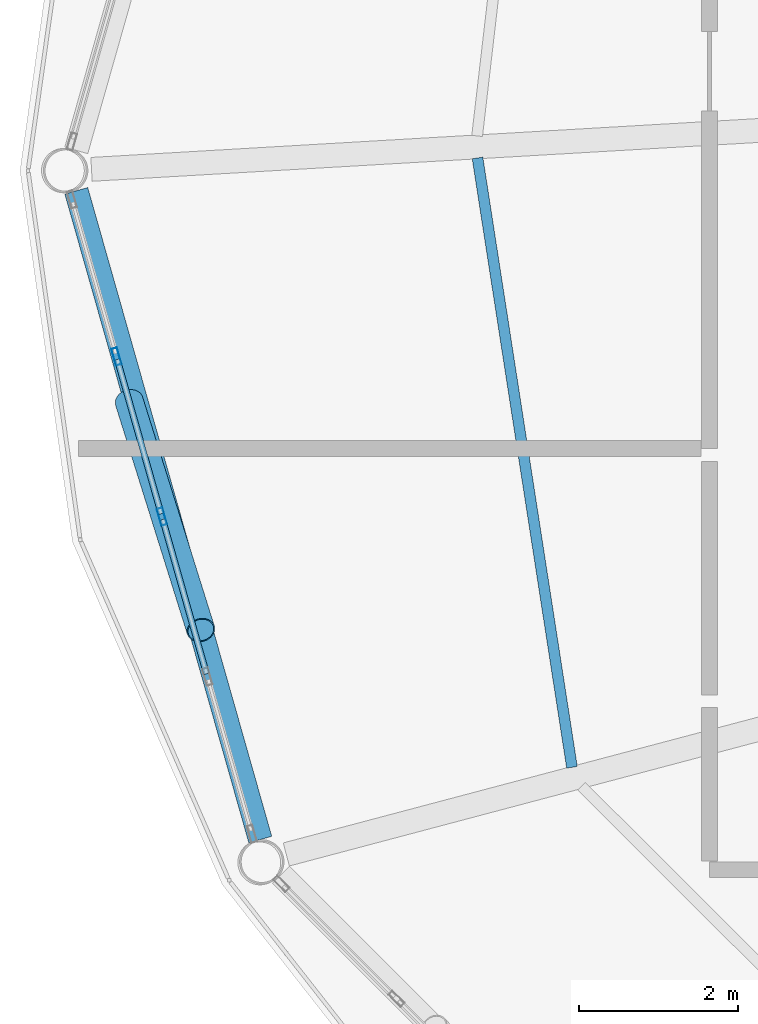
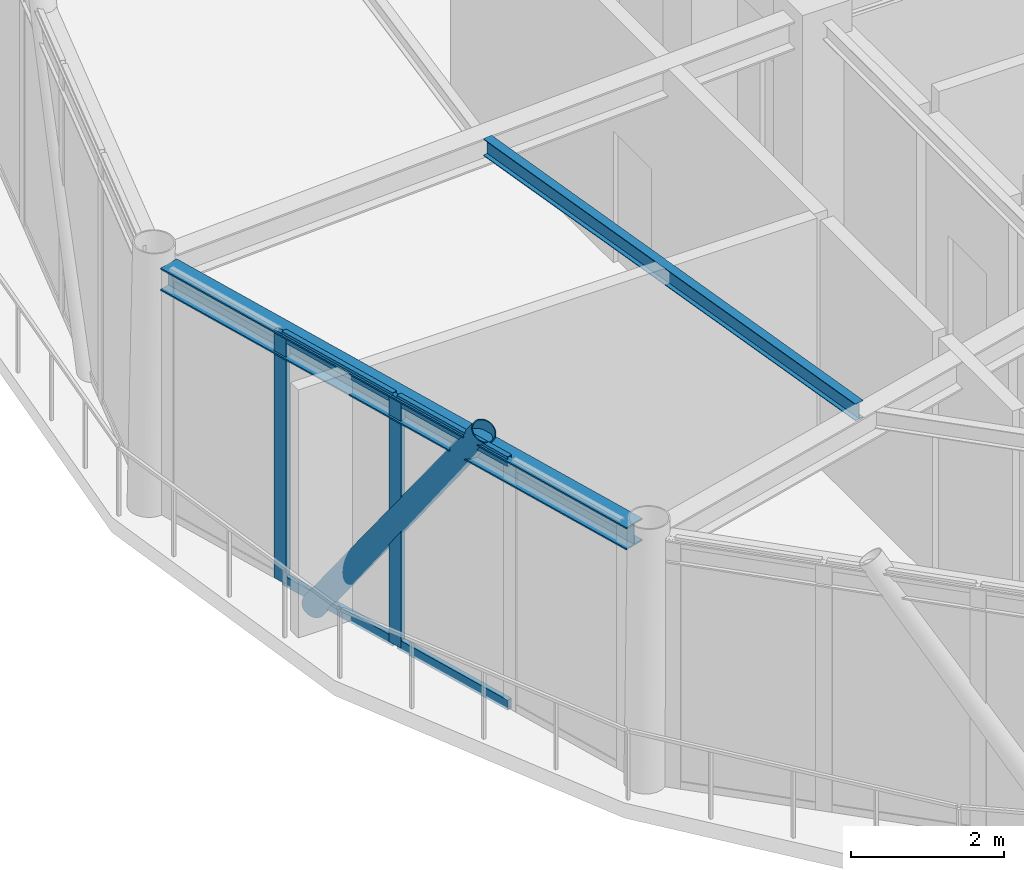
# One storey, part 4 of 21: 7 members, 2 beams, 1 element without a shape of its own.
"""IFC4 building model written with IfcOpenShell, lengths in metres."""

from ifc_helpers import new_model, si_unit, direction, frame, origin, origin_2d, place, context, subcontext, project, spatial, hollow_rectangle, hollow_circle, i_section, extrude, material, layer, layer_set, material_profile, profile_set, type_object, element, aggregate, save


model = new_model("IFC4")

# Units and contexts
model_context = context("Model", 3, precision=1e-05, world=origin(), true_north=direction((0.0, 1.0)))
body_context = subcontext(model_context, "Body", "Model", "MODEL_VIEW")
ifc_project = project(units=[si_unit("LENGTHUNIT", "METRE"), si_unit("AREAUNIT", "SQUARE_METRE"), si_unit("VOLUMEUNIT", "CUBIC_METRE"), si_unit("PLANEANGLEUNIT", "RADIAN"), si_unit("MASSUNIT", "GRAM", prefix="KILO")], contexts=[model_context])

# Site, building, storey
site_placement = place(None, origin())
site = spatial("IfcSite", under=ifc_project, at=site_placement, CompositionType="ELEMENT")
building_placement = place(site_placement, origin())
building = spatial("IfcBuilding", under=site, at=building_placement, Name="Varnakorn Sky Granary", CompositionType="ELEMENT")
storey_placement = place(building_placement, frame((0.0, 0.0, 298.199951171875)))
storey = spatial("IfcBuildingStorey", under=building, at=storey_placement, Name="L76", CompositionType="ELEMENT", Elevation=298.199951171875)

# Beams
ifc_material_1 = material(Name="Steel S355JR", Category="steel")
ifc_material_profile_1 = material_profile(ifc_material_1, i_section(OverallWidth=0.135009765625, OverallDepth=0.27001953125, WebThickness=0.006591796875, FlangeThickness=0.01025390625, at=origin_2d()), Name="IPE 270")
ifc_profile_set_1 = profile_set([ifc_material_profile_1], Name="Steel S355JR")
beam_type_1 = type_object("IfcBeamType", Name="BM-SEC-Z5", PredefinedType="BEAM", material=ifc_profile_set_1)
beam_1_placement = place(storey_placement, frame((-7.520263671875, 0.158935546875, 3.824951171875), z_axis=(0.153186927358, -0.988197229953, 0.0), x_axis=(0.988197229953, 0.153186927358, 0.0)))
element("IfcBeam", 1, at=beam_1_placement, inside=storey, type_object=beam_type_1, Name="Secondary Floor Chord Beam MSB07 L76", PredefinedType="BEAM", context=body_context, shape_type="SweptSolid", body=[
    extrude(i_section(OverallWidth=0.135009765625, OverallDepth=0.27001953125, WebThickness=0.006591796875, FlangeThickness=0.01025390625, at=origin_2d()), origin(), (0.0, 0.0, 1.0), 7.761474609375),
])
ifc_material_profile_2 = material_profile(ifc_material_1, i_section(OverallWidth=0.300048828125, OverallDepth=0.360107421875, WebThickness=0.012451171875, FlangeThickness=0.0224609375, at=origin_2d()), Name="HE 360 B")
ifc_profile_set_2 = profile_set([ifc_material_profile_2], Name="Steel S355JR")
beam_type_2 = type_object("IfcBeamType", Name="BM-SPD-Z5", PredefinedType="SPANDREL", material=ifc_profile_set_2)
beam_2_placement = place(storey_placement, frame((-12.57080078125, -0.25439453125, 3.780029296875), z_axis=(0.272855488152, -0.962055030955, 0.0), x_axis=(0.962055030955, 0.272855488152, 0.0)))
element("IfcBeam", 2, at=beam_2_placement, inside=storey, type_object=beam_type_2, Name="Perimeter Spandrel Ring Beam RB07 L76", PredefinedType="SPANDREL", context=body_context, shape_type="SweptSolid", body=[
    extrude(i_section(OverallWidth=0.300048828125, OverallDepth=0.360107421875, WebThickness=0.012451171875, FlangeThickness=0.0224609375, at=origin_2d()), origin(), (0.0, 0.0, 1.0), 8.488525390625),
])

# Curtain wall, members
ifc_material_2 = material(Name="Anodised Bronze Aluminium Alloy 6063-T6", Category="aluminium")
ifc_layer = layer(ifc_material_2, 0.22998046875, Name="Anodised Bronze Aluminium Alloy 6063-T6")
ifc_layer_set = layer_set([ifc_layer], Name="Anodised Bronze Aluminium Alloy 6063-T6")
curtain_wall_type = type_object("IfcCurtainWallType", Name="CW-LNT-1", PredefinedType="USERDEFINED", material=ifc_layer_set)
curtain_wall_placement = place(storey_placement, origin())
curtain_wall = element("IfcCurtainWall", 3, at=curtain_wall_placement, inside=storey, type_object=curtain_wall_type, Name="Unitised Curtain Wall CW7 CW-L76-B07", ObjectType="CURTAIN WALL", PredefinedType="USERDEFINED")
ifc_material_profile_3 = material_profile(ifc_material_2, hollow_rectangle(XDim=0.074951171875, YDim=0.219970703125, WallThickness=0.00390625, at=origin_2d()), Name="ALU MULL 75x220")
ifc_profile_set_3 = profile_set([ifc_material_profile_3], Name="Anodised Bronze Aluminium Alloy 6063-T6")
member_type_1 = type_object("IfcMemberType", Name="CW-LNT-1-MULL", PredefinedType="MULLION", material=ifc_profile_set_3)
member_1_placement = place(storey_placement, frame((-11.492919921875, -4.35546875, 0.0), z_axis=(0.0, 0.0, 1.0), x_axis=(-0.962012139811, -0.273006671816, 0.0)))
member_1 = element("IfcMember", 4, at=member_1_placement, type_object=member_type_1, Name="CW7 mullion 3", PredefinedType="MULLION", context=body_context, shape_type="SweptSolid", body=[
    extrude(hollow_rectangle(XDim=0.074951171875, YDim=0.219970703125, WallThickness=0.00390625, at=origin_2d()), origin(), (0.0, 0.0, 1.0), 3.9599609375),
])
member_2_placement = place(storey_placement, frame((-12.064697265625, -2.341064453125, 0.0), z_axis=(0.0, 0.0, 1.0), x_axis=(-0.962012139811, -0.273006671816, 0.0)))
member_2 = element("IfcMember", 5, at=member_2_placement, type_object=member_type_1, Name="CW7 mullion 4", PredefinedType="MULLION", context=body_context, shape_type="SweptSolid", body=[
    extrude(hollow_rectangle(XDim=0.074951171875, YDim=0.219970703125, WallThickness=0.00390625, at=origin_2d()), origin(), (0.0, 0.0, 1.0), 3.9599609375),
])
ifc_material_profile_4 = material_profile(ifc_material_2, hollow_rectangle(XDim=0.074951171875, YDim=0.159912109375, WallThickness=0.00390625, at=origin_2d()), Name="ALU TRAN 75x160")
ifc_profile_set_4 = profile_set([ifc_material_profile_4], Name="Anodised Bronze Aluminium Alloy 6063-T6")
member_type_2 = type_object("IfcMemberType", Name="CW-LNT-1-TRAN", PredefinedType="USERDEFINED", material=ifc_profile_set_4)
member_3_placement = place(storey_placement, frame((-10.931396484375, -6.333984375, 0.03759765625), z_axis=(-0.27302788091, 0.96200612069, 0.0), x_axis=(-0.96200612069, -0.27302788091, 0.0)))
member_3 = element("IfcMember", 6, at=member_3_placement, type_object=member_type_2, Name="CW7 transom 2.1", ObjectType="TRANSOM", PredefinedType="USERDEFINED", context=body_context, shape_type="SweptSolid", body=[
    extrude(hollow_rectangle(XDim=0.074951171875, YDim=0.159912109375, WallThickness=0.00390625, at=origin_2d()), origin(), (0.0, 0.0, 1.0), 2.01904296875),
])
member_4_placement = place(storey_placement, frame((-10.931396484375, -6.333984375, 3.922607421875), z_axis=(-0.27302788091, 0.96200612069, 0.0), x_axis=(-0.96200612069, -0.27302788091, 0.0)))
member_4 = element("IfcMember", 7, at=member_4_placement, type_object=member_type_2, Name="CW7 transom 2.2", ObjectType="TRANSOM", PredefinedType="USERDEFINED", context=body_context, shape_type="SweptSolid", body=[
    extrude(hollow_rectangle(XDim=0.074951171875, YDim=0.159912109375, WallThickness=0.00390625, at=origin_2d()), origin(), (0.0, 0.0, 1.0), 2.01904296875),
])
member_5_placement = place(storey_placement, frame((-11.503173828125, -4.3193359375, 0.03759765625), z_axis=(-0.273059643534, 0.961997105543, 0.0), x_axis=(-0.961997105543, -0.273059643534, 0.0)))
member_5 = element("IfcMember", 8, at=member_5_placement, type_object=member_type_2, Name="CW7 transom 3.1", ObjectType="TRANSOM", PredefinedType="USERDEFINED", context=body_context, shape_type="SweptSolid", body=[
    extrude(hollow_rectangle(XDim=0.074951171875, YDim=0.159912109375, WallThickness=0.00390625, at=origin_2d()), origin(), (0.0, 0.0, 1.0), 2.018798828125),
])
member_6_placement = place(storey_placement, frame((-11.503173828125, -4.3193359375, 3.922607421875), z_axis=(-0.273059643534, 0.961997105543, 0.0), x_axis=(-0.961997105543, -0.273059643534, 0.0)))
member_6 = element("IfcMember", 9, at=member_6_placement, type_object=member_type_2, Name="CW7 transom 3.2", ObjectType="TRANSOM", PredefinedType="USERDEFINED", context=body_context, shape_type="SweptSolid", body=[
    extrude(hollow_rectangle(XDim=0.074951171875, YDim=0.159912109375, WallThickness=0.00390625, at=origin_2d()), origin(), (0.0, 0.0, 1.0), 2.018798828125),
])
aggregate(curtain_wall, [member_1, member_2, member_3, member_4, member_5, member_6])

# Member
ifc_material_3 = material(Name="Steel S460M", Category="steel")
ifc_material_profile_5 = material_profile(ifc_material_3, hollow_circle(Radius=0.177734375, WallThickness=0.01416015625, at=origin_2d()), Name="CHS 355.6x14")
ifc_profile_set_5 = profile_set([ifc_material_profile_5], Name="Steel S460M")
member_type_3 = type_object("IfcMemberType", Name="MB-DIAG-T5", PredefinedType="BRACE", material=ifc_profile_set_5)
member_7_placement = place(storey_placement, frame((-11.905029296875, -2.90380859375, -0.1298828125), z_axis=(0.17392656984, -0.555096812184, 0.81339847394), x_axis=(0.954255154981, 0.29899347684, 0.0)))
element("IfcMember", 10, at=member_7_placement, inside=storey, type_object=member_type_3, Name="Perimeter CHS Diagrid Brace DG07 L76", PredefinedType="BRACE", context=body_context, shape_type="SweptSolid", body=[
    extrude(hollow_circle(Radius=0.177734375, WallThickness=0.01416015625, at=origin_2d()), origin(), (0.0, 0.0, 1.0), 5.18798828125),
])

save(model, "model.ifc")
